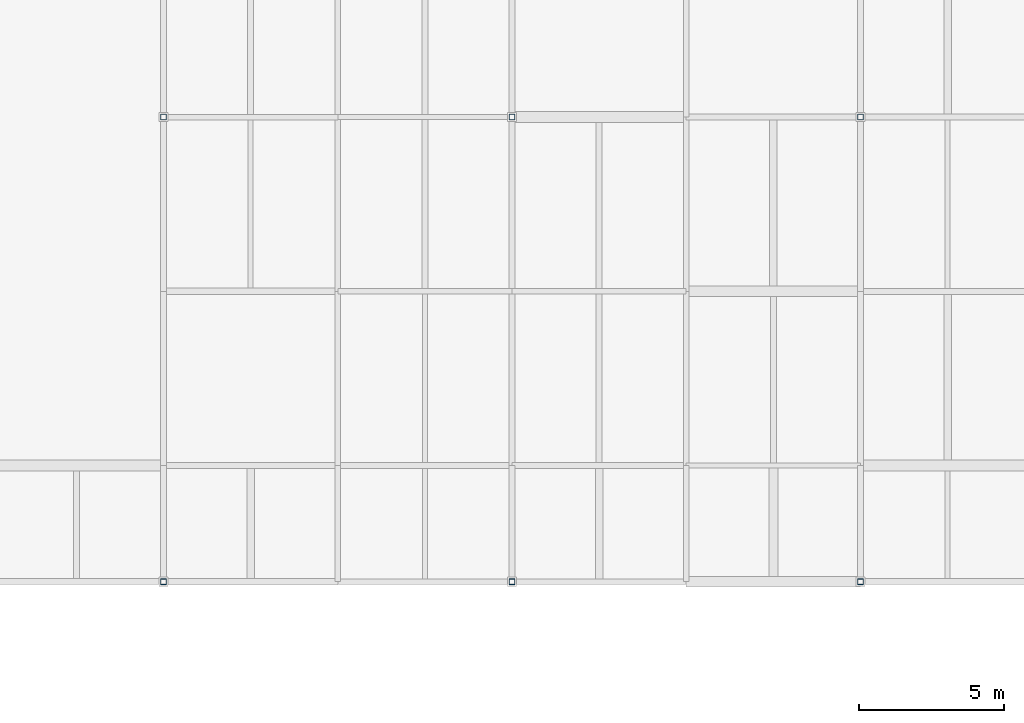
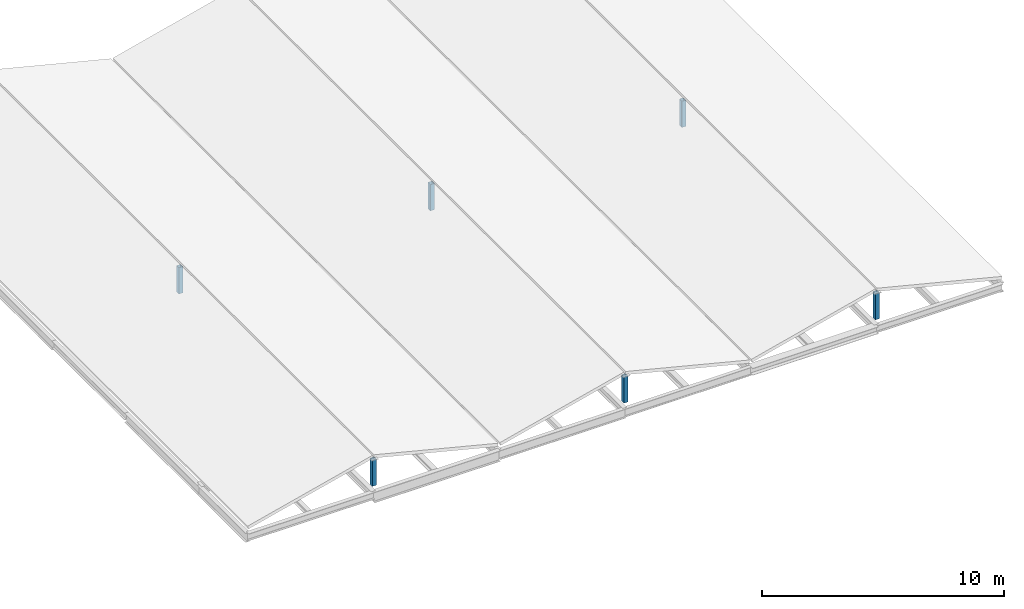
# One storey, part 9 of 35: 6 columns.
"""IFC4 building model written with IfcOpenShell, lengths in metres."""

from ifc_helpers import new_model, si_unit, direction, frame, origin, origin_2d, place, context, subcontext, project, spatial, hollow_rectangle, extrude, material, material_profile, profile_set, type_object, element, save


model = new_model("IFC4")

# Units and contexts
model_context = context("Model", 3, precision=1e-05, world=origin(), true_north=direction((0.0, 1.0)))
body_context = subcontext(model_context, "Body", "Model", "MODEL_VIEW")
ifc_project = project(units=[si_unit("LENGTHUNIT", "METRE"), si_unit("AREAUNIT", "SQUARE_METRE"), si_unit("VOLUMEUNIT", "CUBIC_METRE"), si_unit("PLANEANGLEUNIT", "RADIAN"), si_unit("MASSUNIT", "GRAM", prefix="KILO")], contexts=[model_context])

# Site, building, storey
site_placement = place(None, origin())
site = spatial("IfcSite", under=ifc_project, at=site_placement, CompositionType="ELEMENT")
building_placement = place(site_placement, origin())
building = spatial("IfcBuilding", under=site, at=building_placement, Name="Verrall Gate Interchange", CompositionType="ELEMENT")
storey_placement = place(building_placement, frame((0.0, 0.0, 15.39990234375)))
storey = spatial("IfcBuildingStorey", under=building, at=storey_placement, Name="L04", CompositionType="ELEMENT", Elevation=15.39990234375)

# Columns
ifc_material = material(Name="Structural Steel CSA G40.21 350W", Category="steel")
ifc_material_profile = material_profile(ifc_material, hollow_rectangle(XDim=0.202880859375, YDim=0.202880859375, WallThickness=0.009521484375, InnerFilletRadius=0.009521484375, OuterFilletRadius=0.01904296875, at=origin_2d()), Name="HSS203x203x9.5")
ifc_profile_set = profile_set([ifc_material_profile], Name="Structural Steel CSA G40.21 350W")
column_type = type_object("IfcColumnType", Name="C-14 Column HSS203x203x9.5", PredefinedType="COLUMN", material=ifc_profile_set)
for number, where, z_axis, x_axis, name in (
    (1, (138.0, 12.0, 0.0), (0.0, 0.0, 1.0), (1.0, 0.0, 0.0), "L04 Roof Ridge King-Post 009"),
    (2, (138.0, 28.0, 0.0), (0.0, 0.0, 1.0), (1.0, 0.0, 0.0), "L04 Roof Ridge King-Post 010"),
    (3, (150.0, 12.0, 0.0), (0.0, 0.0, 1.0), (1.0, 0.0, 0.0), "L04 Roof Ridge King-Post 012"),
    (4, (150.0, 28.0, 0.0), (0.0, 0.0, 1.0), (1.0, 0.0, 0.0), "L04 Roof Ridge King-Post 013"),
    (5, (162.0, 12.0, 0.0), (0.0, 0.0, 1.0), (1.0, 0.0, 0.0), "L04 Roof Ridge King-Post 015"),
    (6, (162.0, 28.0, 0.0), (0.0, 0.0, 1.0), (1.0, 0.0, 0.0), "L04 Roof Ridge King-Post 016"),
):
    element("IfcColumn", number, at=place(storey_placement, frame(where, z_axis=z_axis, x_axis=x_axis)), inside=storey, type_object=column_type, Name=name, PredefinedType="COLUMN", context=body_context, shape_type="SweptSolid", body=[
        extrude(hollow_rectangle(XDim=0.202880859375, YDim=0.202880859375, WallThickness=0.009521484375, InnerFilletRadius=0.009521484375, OuterFilletRadius=0.01904296875, at=origin_2d()), origin(), (0.0, 0.0, 1.0), 1.320068359375),
    ])

save(model, "model.ifc")
